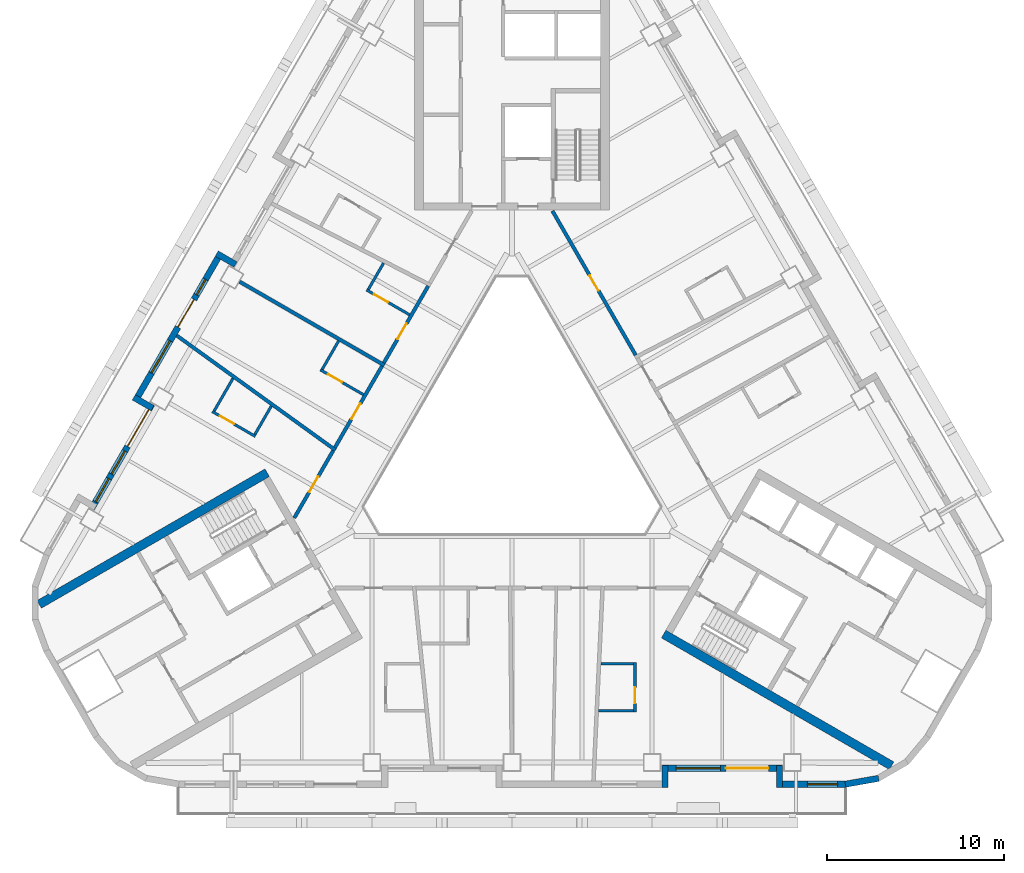
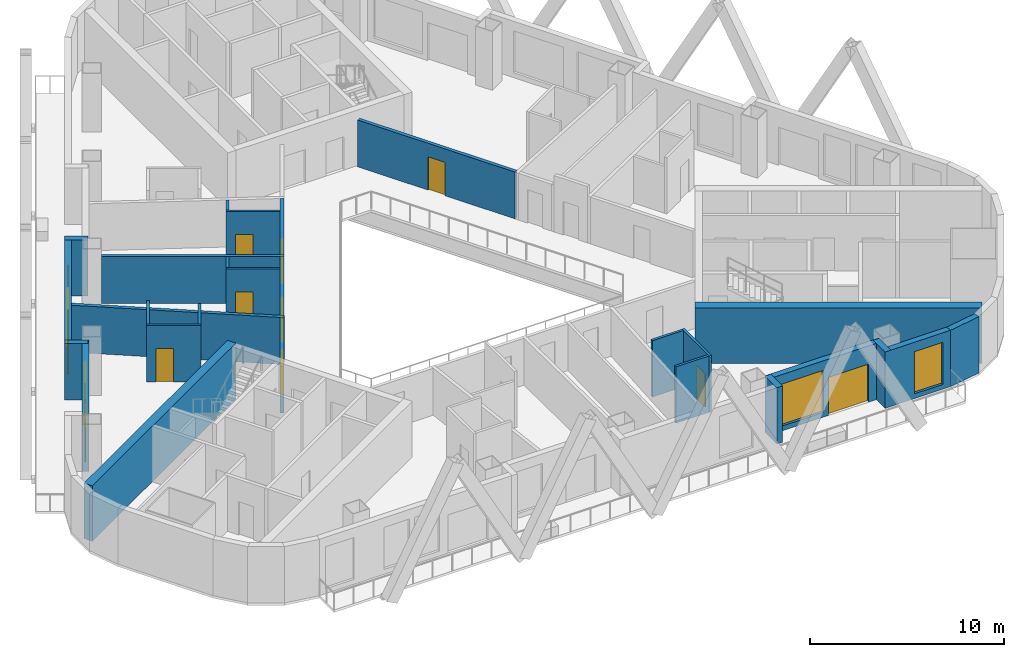
# One storey, part 4 of 14: 27 walls, 11 doors, 6 windows, 17 openings.
"""IFC4 building model written with IfcOpenShell, lengths in metres."""

import ifcopenshell
import ifcopenshell.guid

model = None  # the IFC model being written
_history = None  # IfcOwnerHistory: only IFC2X3 demands one
_inside = {}  # id of a spatial element -> (the spatial element, [elements in it])
_under = {}  # id of a project, library or spatial element -> (it, [spatial elements below it])
_declared = {}  # id of a project -> (the project, [libraries it declares])
_typed = {}  # id of a type object -> (the type object, [elements of that type])
_made_of = {}  # id of a material, layer set ... -> (it, [elements and type objects made of it])


def new_model(schema):
    """Start an empty IFC model of exactly this schema.

    Asked for "IFC4X3", IfcOpenShell would pick the latest addendum, in which some entities
    have other attributes; the version numbers below select the first issue.
    IFC2X3 requires an IfcOwnerHistory on every rooted entity: one is made here for all.
    """
    global model, _history
    if schema == "IFC4X3":
        model = ifcopenshell.file(schema_version=(4, 3, 0, 0))
    else:
        model = ifcopenshell.file(schema=schema)
    _inside.clear()
    _under.clear()
    _declared.clear()
    _typed.clear()
    _made_of.clear()
    _history = None
    if model.schema == "IFC2X3":
        org = make("IfcOrganization", Name="unknown")
        user = make(
            "IfcPersonAndOrganization",
            ThePerson=make("IfcPerson", FamilyName="unknown"),
            TheOrganization=org,
        )
        app = make(
            "IfcApplication",
            ApplicationDeveloper=org,
            Version="unknown",
            ApplicationFullName="unknown",
            ApplicationIdentifier="unknown",
        )
        _history = make(
            "IfcOwnerHistory",
            OwningUser=user,
            OwningApplication=app,
            ChangeAction="ADDED",
            CreationDate=0,
        )
    return model


def make(cls, **values):
    """One entity of the class cls with the attributes given. An attribute that is None is left unset."""
    return model.create_entity(
        cls, **{name: value for name, value in values.items() if value is not None}
    )


def rooted(cls, **values):
    """An entity with a GlobalId (a new one), such as an element, a storey or a relation."""
    return make(cls, GlobalId=ifcopenshell.guid.new(), OwnerHistory=_history, **values)


def si_unit(unit_type, name, prefix=None):
    """IfcSIUnit, for example si_unit("LENGTHUNIT", "METRE", prefix="MILLI")."""
    return make("IfcSIUnit", UnitType=unit_type, Prefix=prefix, Name=name)


def assignment(units):
    """IfcUnitAssignment: the units of a project."""
    return None if units is None else make("IfcUnitAssignment", Units=units)


def point(xyz):
    """IfcCartesianPoint."""
    return None if xyz is None else make("IfcCartesianPoint", Coordinates=xyz)


def direction(xyz):
    """IfcDirection."""
    return None if xyz is None else make("IfcDirection", DirectionRatios=xyz)


def frame(location, z_axis=None, x_axis=None):
    """IfcAxis2Placement3D, a coordinate frame: its origin and axes. An axis left out is left unset."""
    return make(
        "IfcAxis2Placement3D",
        Location=point(location),
        Axis=direction(z_axis),
        RefDirection=direction(x_axis),
    )


def frame_2d(location, x_axis=None):
    """IfcAxis2Placement2D, a coordinate frame in the plane: its origin and x axis."""
    return make(
        "IfcAxis2Placement2D", Location=point(location), RefDirection=direction(x_axis)
    )


def origin():
    """The frame at (0, 0, 0) with its axes left unset."""
    return frame((0.0, 0.0, 0.0))


def place(relative_to, where):
    """IfcLocalPlacement: puts the frame where relative to a parent placement (None: the world)."""
    return make(
        "IfcLocalPlacement", PlacementRelTo=relative_to, RelativePlacement=where
    )


def context(
    kind, dimensions, precision=None, world=None, true_north=None, identifier=None
):
    """IfcGeometricRepresentationContext, for example the 3D "Model" context."""
    return make(
        "IfcGeometricRepresentationContext",
        ContextIdentifier=identifier,
        ContextType=kind,
        CoordinateSpaceDimension=dimensions,
        Precision=precision,
        WorldCoordinateSystem=world,
        TrueNorth=true_north,
    )


def subcontext(parent, identifier, kind, view, scale=None):
    """IfcGeometricRepresentationSubContext, for example "Body" below "Model"."""
    return make(
        "IfcGeometricRepresentationSubContext",
        ContextIdentifier=identifier,
        ContextType=kind,
        ParentContext=parent,
        TargetScale=scale,
        TargetView=view,
    )


def project(units=None, contexts=None):
    """IfcProject with its units and contexts."""
    return rooted(
        "IfcProject",
        Name="project",
        RepresentationContexts=contexts,
        UnitsInContext=assignment(units),
    )


def spatial(cls, under=None, at=None, **own):
    """A site, building, storey or space (cls), placed at a placement, below another one or the project."""
    s = rooted(cls, ObjectPlacement=at, **own)
    if under is not None:
        _under.setdefault(under.id(), (under, []))[1].append(s)
    return s


def profile(cls, at=None, kind="AREA", **sizes):
    """A parametric profile (cls). Its sizes go by their IFC names, for example OverallWidth=200.0."""
    return make(cls, ProfileType=kind, Position=at, **sizes)


def rectangle(**sizes):
    """IfcRectangleProfileDef."""
    return profile("IfcRectangleProfileDef", **sizes)


def extrude(swept, where, along, depth):
    """IfcExtrudedAreaSolid: the profile swept, set in the frame where, extruded along a direction by depth."""
    return make(
        "IfcExtrudedAreaSolid",
        SweptArea=swept,
        Position=where,
        ExtrudedDirection=direction(along),
        Depth=depth,
    )


def shape(context_of_items, identifier, shape_type, items):
    """IfcShapeRepresentation: the items that make up one representation, for example the "Body"."""
    return make(
        "IfcShapeRepresentation",
        ContextOfItems=context_of_items,
        RepresentationIdentifier=identifier,
        RepresentationType=shape_type,
        Items=items,
    )


def material(Name=None, Category=None):
    """IfcMaterial."""
    return make("IfcMaterial", Name=Name, Category=Category)


def layer(
    of_material, thickness, ventilated=None, Name=None, Category=None, Priority=None
):
    """IfcMaterialLayer: one layer of a wall or slab, of a material (None: an air gap)."""
    return make(
        "IfcMaterialLayer",
        Material=of_material,
        LayerThickness=thickness,
        IsVentilated=ventilated,
        Name=Name,
        Category=Category,
        Priority=Priority,
    )


def layer_set(layers, Name=None):
    """IfcMaterialLayerSet."""
    return make("IfcMaterialLayerSet", MaterialLayers=layers, LayerSetName=Name)


def made_of(thing, what):
    """Note that an element or type object is made of a material, layer set ...; save() writes the relation."""
    if what is not None:
        _made_of.setdefault(what.id(), (what, []))[1].append(thing)
    return thing


def type_object(cls, material=None, **own):
    """A type object (cls), such as IfcWallType, which elements share."""
    return made_of(rooted(cls, **own), material)


def element(
    cls,
    number,
    at=None,
    inside=None,
    cuts=None,
    type_object=None,
    material=None,
    context=None,
    identifier="Body",
    shape_type=None,
    held_by="IfcProductDefinitionShape",
    body=None,
    shapes=None,
    **own,
):
    """One element of the class cls, such as IfcWall. Its Tag is "e" and its number.

    at: its placement. inside: the storey or other place that contains it. cuts: it is an
    opening in that element (IfcRelVoidsElement). A single representation is given by context,
    identifier, shape_type and body (its items); several are given by shapes. held_by: the class
    of the entity that holds the representations. save() writes the other relations.
    """
    e = rooted(cls, Tag="e%d" % number, ObjectPlacement=at, **own)
    if body is not None:
        shapes = [shape(context, identifier, shape_type, body)]
    if shapes is not None:
        e.Representation = make(held_by, Representations=shapes)
    if inside is not None:
        _inside.setdefault(inside.id(), (inside, []))[1].append(e)
    if cuts is not None:
        rooted(
            "IfcRelVoidsElement", RelatingBuildingElement=cuts, RelatedOpeningElement=e
        )
    if type_object is not None:
        _typed.setdefault(type_object.id(), (type_object, []))[1].append(e)
    return made_of(e, material)


def fill(opening, filler):
    """IfcRelFillsElement: the door or window that sits in an opening."""
    return rooted(
        "IfcRelFillsElement",
        RelatingOpeningElement=opening,
        RelatedBuildingElement=filler,
    )


def aggregate(whole, parts):
    """IfcRelAggregates: a whole, such as a stair, and the parts it consists of."""
    return rooted("IfcRelAggregates", RelatingObject=whole, RelatedObjects=parts)


def save(model, path):
    """Write the relations noted so far, then the file.

    IfcRelAggregates (storeys below a building ...), IfcRelContainedInSpatialStructure (elements
    in a storey), IfcRelDefinesByType, IfcRelAssociatesMaterial and IfcRelDeclares: one each for
    every whole, place, type object, material and project.
    """
    for whole, parts in _under.values():
        aggregate(whole, parts)
    for where, things in _inside.values():
        rooted(
            "IfcRelContainedInSpatialStructure",
            RelatedElements=things,
            RelatingStructure=where,
        )
    for kind, things in _typed.values():
        rooted("IfcRelDefinesByType", RelatedObjects=things, RelatingType=kind)
    for what, things in _made_of.values():
        rooted("IfcRelAssociatesMaterial", RelatedObjects=things, RelatingMaterial=what)
    for by, libraries in _declared.values():
        rooted("IfcRelDeclares", RelatingContext=by, RelatedDefinitions=libraries)
    model.write(path)


model = new_model("IFC4")

# Units and contexts
model_context = context("Model", 3, precision=1e-05, world=origin(), true_north=direction((0.0, 1.0)))
body_context = subcontext(model_context, "Body", "Model", "MODEL_VIEW")
ifc_project = project(units=[si_unit("LENGTHUNIT", "METRE"), si_unit("AREAUNIT", "SQUARE_METRE"), si_unit("VOLUMEUNIT", "CUBIC_METRE"), si_unit("PLANEANGLEUNIT", "RADIAN"), si_unit("MASSUNIT", "GRAM", prefix="KILO")], contexts=[model_context])

# Site, building, storey
site_placement = place(None, origin())
site = spatial("IfcSite", under=ifc_project, at=site_placement, CompositionType="ELEMENT")
building_placement = place(site_placement, origin())
building = spatial("IfcBuilding", under=site, at=building_placement, Name="Apuvela Tower Hotel", CompositionType="ELEMENT")
storey_placement = place(building_placement, frame((0.0, 0.0, 76.10009765625)))
storey = spatial("IfcBuildingStorey", under=building, at=storey_placement, Name="L16", CompositionType="ELEMENT", Elevation=76.10009765625)

# Walls
ifc_material_1 = material(Name="Concrete C50/60", Category="concrete")
ifc_layer_1 = layer(ifc_material_1, 0.5)
ifc_layer_set_1 = layer_set([ifc_layer_1], Name="COR-WALL-CORE-500")
wall_type_1 = type_object("IfcWallType", Name="COR-WALL-CORE-500", PredefinedType="SHEAR", material=ifc_layer_set_1)
for number, where, z_axis, x_axis, name in (
    (1, (-13.796630859375, -1.9033203125, 0.0), (0.0, 0.0, 1.0), (-0.866025009528, -0.500000682871, 0.0), "Core wall SW"),
    (2, (8.546630859375, -10.99658203125, 0.0), (0.0, 0.0, 1.0), (0.866025009528, -0.500000682871, 0.0), "Core wall SE"),
):
    element("IfcWall", number, at=place(storey_placement, frame(where, z_axis=z_axis, x_axis=x_axis)), inside=storey, type_object=wall_type_1, Name=name, PredefinedType="SHEAR", context=body_context, shape_type="SweptSolid", body=[
        extrude(rectangle(XDim=14.8369140625, YDim=0.5, at=frame_2d((7.41845703125, 0.0))), origin(), (0.0, 0.0, 1.0), 3.5),
    ])
ifc_material_2 = material(Name="Concrete C40/50, dark pigmented precast panel", Category="concrete")
ifc_layer_2 = layer(ifc_material_2, 0.35009765625)
ifc_layer_set_2 = layer_set([ifc_layer_2], Name="ENV-WALL-350")
wall_type_2 = type_object("IfcWallType", Name="ENV-WALL-350", PredefinedType="SOLIDWALL", material=ifc_layer_set_2)
wall_1_placement = place(storey_placement, frame((-15.580810546875, 9.8330078125, 0.0), z_axis=(0.0, 0.0, 1.0), x_axis=(-0.866055662726, 0.499947586314, 0.0)))
element("IfcWall", 3, at=wall_1_placement, inside=storey, type_object=wall_type_2, Name="External wall L16-04", PredefinedType="SOLIDWALL", context=body_context, shape_type="SweptSolid", body=[
    extrude(rectangle(XDim=1.220458984375, YDim=0.35009765625, at=frame_2d((0.6103515625, 0.0))), origin(), (0.0, 0.0, 1.0), 3.5498046875),
])

# Wall, openings, door, windows
wall_2_placement = place(storey_placement, frame((-16.3984375, 10.507080078125, 0.0), z_axis=(0.0, 0.0, 1.0), x_axis=(-0.499999142773, -0.866025898704, 0.0)))
wall_2 = element("IfcWall", 4, at=wall_2_placement, inside=storey, type_object=wall_type_2, Name="External wall L16-05", PredefinedType="SOLIDWALL", context=body_context, shape_type="SweptSolid", body=[
    extrude(rectangle(XDim=9.7001953125, YDim=0.35009765625, at=frame_2d((4.85009765625, 0.0))), origin(), (0.0, 0.0, 1.0), 3.5498046875),
])
opening_1_placement = place(wall_2_placement, frame((3.05126953125, 0.0, 0.0)))
opening_1 = element("IfcOpeningElement", 5, at=opening_1_placement, cuts=wall_2, Name="Opening BD18", PredefinedType="OPENING", context=body_context, shape_type="SweptSolid", body=[
    extrude(rectangle(XDim=1.800048828125, YDim=2.39990234375, at=frame_2d((0.89990234375, 1.199951171875))), frame((0.0, 0.18505859375, 0.0), z_axis=(0.0, -1.0, 0.0), x_axis=(1.0, 0.0, 0.0)), (0.0, 0.0, 1.0), 0.3701171875),
])
opening_2_placement = place(wall_2_placement, frame((1.750244140625, 0.0, 0.300048828125)))
opening_2 = element("IfcOpeningElement", 6, at=opening_2_placement, cuts=wall_2, Name="Opening WN10", PredefinedType="OPENING", context=body_context, shape_type="SweptSolid", body=[
    extrude(rectangle(XDim=1.0, YDim=2.64990234375, at=frame_2d((0.5, 1.324951171875))), frame((0.0, 0.18505859375, 0.0), z_axis=(0.0, -1.0, 0.0), x_axis=(1.0, 0.0, 0.0)), (0.0, 0.0, 1.0), 0.3701171875),
])
opening_3_placement = place(wall_2_placement, frame((5.7509765625, 0.0, 0.300048828125)))
opening_3 = element("IfcOpeningElement", 7, at=opening_3_placement, cuts=wall_2, Name="Opening WN21", PredefinedType="OPENING", context=body_context, shape_type="SweptSolid", body=[
    extrude(rectangle(XDim=2.10009765625, YDim=2.64990234375, at=frame_2d((1.050048828125, 1.324951171875))), frame((0.0, 0.18505859375, 0.0), z_axis=(0.0, -1.0, 0.0), x_axis=(1.0, 0.0, 0.0)), (0.0, 0.0, 1.0), 0.3701171875),
])
ifc_material_3 = material(Name="Aluminium 6063-T6, dark bronze anodised frame with dark tinted laminated glass", Category="aluminium")
door_type_1 = type_object("IfcDoorType", Name="ENV-DOOR-BALCONY-1800x2400", OperationType="SLIDING_TO_LEFT", PredefinedType="DOOR", material=ifc_material_3)
door_1_placement = place(opening_1_placement, frame((1.800048828125, 0.0, 0.0), z_axis=(0.0, 0.0, 1.0), x_axis=(-1.0, 0.0, 0.0)))
door_1 = element("IfcDoor", 8, at=door_1_placement, inside=storey, type_object=door_type_1, Name="Balcony door BD18", OperationType="SLIDING_TO_LEFT", OverallHeight=2.39990234375, OverallWidth=1.800048828125, PredefinedType="DOOR", context=body_context, shape_type="SweptSolid", body=[
    extrude(rectangle(XDim=1.800048828125, YDim=2.39990234375, at=frame_2d((0.89990234375, 1.199951171875))), frame((0.0, 0.02490234375, 0.0), z_axis=(0.0, -1.0, 0.0), x_axis=(1.0, 0.0, 0.0)), (0.0, 0.0, 1.0), 0.050048828125),
])
fill(opening_1, door_1)
ifc_material_4 = material(Name="Glass, dark tinted laminated insulated glazing unit", Category="glass")
window_type_1 = type_object("IfcWindowType", Name="ENV-WIN-1000x2650", PartitioningType="SINGLE_PANEL", PredefinedType="WINDOW", material=ifc_material_4)
window_1_placement = place(opening_2_placement, origin())
window_1 = element("IfcWindow", 9, at=window_1_placement, inside=storey, type_object=window_type_1, Name="Window WN10", OverallHeight=2.64990234375, OverallWidth=1.0, PartitioningType="SINGLE_PANEL", PredefinedType="WINDOW", context=body_context, shape_type="SweptSolid", body=[
    extrude(rectangle(XDim=1.0, YDim=2.64990234375, at=frame_2d((0.5, 1.324951171875))), frame((0.0, 0.030029296875, 0.0), z_axis=(0.0, -1.0, 0.0), x_axis=(1.0, 0.0, 0.0)), (0.0, 0.0, 1.0), 0.06005859375),
])
fill(opening_2, window_1)
window_type_2 = type_object("IfcWindowType", Name="ENV-WIN-2100x2650", PartitioningType="SINGLE_PANEL", PredefinedType="WINDOW", material=ifc_material_4)
window_2_placement = place(opening_3_placement, origin())
window_2 = element("IfcWindow", 10, at=window_2_placement, inside=storey, type_object=window_type_2, Name="Window WN21", OverallHeight=2.64990234375, OverallWidth=2.10009765625, PartitioningType="SINGLE_PANEL", PredefinedType="WINDOW", context=body_context, shape_type="SweptSolid", body=[
    extrude(rectangle(XDim=2.10009765625, YDim=2.64990234375, at=frame_2d((1.050048828125, 1.324951171875))), frame((0.0, 0.030029296875, 0.0), z_axis=(0.0, -1.0, 0.0), x_axis=(1.0, 0.0, 0.0)), (0.0, 0.0, 1.0), 0.06005859375),
])
fill(opening_3, window_2)

# Wall
wall_3_placement = place(storey_placement, frame((-21.3125, 2.345703125, 0.0), z_axis=(0.0, 0.0, 1.0), x_axis=(0.866005645448, -0.500034220881, 0.0)))
element("IfcWall", 11, at=wall_3_placement, inside=storey, type_object=wall_type_2, Name="External wall L16-06", PredefinedType="SOLIDWALL", context=body_context, shape_type="SweptSolid", body=[
    extrude(rectangle(XDim=1.22021484375, YDim=0.35009765625, at=frame_2d((0.610107421875, 0.0))), origin(), (0.0, 0.0, 1.0), 3.5498046875),
])

# Wall, openings, door, windows
wall_4_placement = place(storey_placement, frame((-20.30908203125, 1.93359375, 0.0), z_axis=(0.0, 0.0, 1.0), x_axis=(-0.499992114976, -0.866029956157, 0.0)))
wall_4 = element("IfcWall", 12, at=wall_4_placement, inside=storey, type_object=wall_type_2, Name="External wall L16-07", PredefinedType="SOLIDWALL", context=body_context, shape_type="SweptSolid", body=[
    extrude(rectangle(XDim=6.73974609375, YDim=0.35009765625, at=frame_2d((3.369873046875, 0.0))), origin(), (0.0, 0.0, 1.0), 3.5498046875),
])
opening_4_placement = place(wall_4_placement, frame((0.320068359375, 0.0, 0.0)))
opening_4 = element("IfcOpeningElement", 13, at=opening_4_placement, cuts=wall_4, Name="Opening BD24", PredefinedType="OPENING", context=body_context, shape_type="SweptSolid", body=[
    extrude(rectangle(XDim=2.39990234375, YDim=2.39990234375, at=frame_2d((1.199951171875, 1.199951171875))), frame((0.0, 0.18505859375, 0.0), z_axis=(0.0, -1.0, 0.0), x_axis=(1.0, 0.0, 0.0)), (0.0, 0.0, 1.0), 0.3701171875),
])
opening_5_placement = place(wall_4_placement, frame((3.02001953125, 0.0, 0.300048828125)))
opening_5 = element("IfcOpeningElement", 14, at=opening_5_placement, cuts=wall_4, Name="Opening WN15", PredefinedType="OPENING", context=body_context, shape_type="SweptSolid", body=[
    extrude(rectangle(XDim=1.5, YDim=2.64990234375, at=frame_2d((0.75, 1.324951171875))), frame((0.0, 0.18505859375, 0.0), z_axis=(0.0, -1.0, 0.0), x_axis=(1.0, 0.0, 0.0)), (0.0, 0.0, 1.0), 0.3701171875),
])
opening_6_placement = place(wall_4_placement, frame((4.820068359375, 0.0, 0.300048828125)))
opening_6 = element("IfcOpeningElement", 15, at=opening_6_placement, cuts=wall_4, Name="Opening WN15", PredefinedType="OPENING", context=body_context, shape_type="SweptSolid", body=[
    extrude(rectangle(XDim=1.5, YDim=2.64990234375, at=frame_2d((0.75, 1.324951171875))), frame((0.0, 0.18505859375, 0.0), z_axis=(0.0, -1.0, 0.0), x_axis=(1.0, 0.0, 0.0)), (0.0, 0.0, 1.0), 0.3701171875),
])
door_type_2 = type_object("IfcDoorType", Name="ENV-DOOR-BALCONY-2400x2400", OperationType="SLIDING_TO_LEFT", PredefinedType="DOOR", material=ifc_material_3)
door_2_placement = place(opening_4_placement, frame((2.39990234375, 0.0, 0.0), z_axis=(0.0, 0.0, 1.0), x_axis=(-1.0, 0.0, 0.0)))
door_2 = element("IfcDoor", 16, at=door_2_placement, inside=storey, type_object=door_type_2, Name="Balcony door BD24", OperationType="SLIDING_TO_LEFT", OverallHeight=2.39990234375, OverallWidth=2.39990234375, PredefinedType="DOOR", context=body_context, shape_type="SweptSolid", body=[
    extrude(rectangle(XDim=2.39990234375, YDim=2.39990234375, at=frame_2d((1.199951171875, 1.199951171875))), frame((0.0, 0.02490234375, 0.0), z_axis=(0.0, -1.0, 0.0), x_axis=(1.0, 0.0, 0.0)), (0.0, 0.0, 1.0), 0.050048828125),
])
fill(opening_4, door_2)
window_type_3 = type_object("IfcWindowType", Name="ENV-WIN-1500x2650", PartitioningType="SINGLE_PANEL", PredefinedType="WINDOW", material=ifc_material_4)
window_3_placement = place(opening_5_placement, origin())
window_3 = element("IfcWindow", 17, at=window_3_placement, inside=storey, type_object=window_type_3, Name="Window WN15", OverallHeight=2.64990234375, OverallWidth=1.5, PartitioningType="SINGLE_PANEL", PredefinedType="WINDOW", context=body_context, shape_type="SweptSolid", body=[
    extrude(rectangle(XDim=1.5, YDim=2.64990234375, at=frame_2d((0.75, 1.324951171875))), frame((0.0, 0.030029296875, 0.0), z_axis=(0.0, -1.0, 0.0), x_axis=(1.0, 0.0, 0.0)), (0.0, 0.0, 1.0), 0.06005859375),
])
fill(opening_5, window_3)
window_4_placement = place(opening_6_placement, origin())
window_4 = element("IfcWindow", 18, at=window_4_placement, inside=storey, type_object=window_type_3, Name="Window WN15", OverallHeight=2.64990234375, OverallWidth=1.5, PartitioningType="SINGLE_PANEL", PredefinedType="WINDOW", context=body_context, shape_type="SweptSolid", body=[
    extrude(rectangle(XDim=1.5, YDim=2.64990234375, at=frame_2d((0.75, 1.324951171875))), frame((0.0, 0.030029296875, 0.0), z_axis=(0.0, -1.0, 0.0), x_axis=(1.0, 0.0, 0.0)), (0.0, 0.0, 1.0), 0.06005859375),
])
fill(opening_6, window_4)

# Wall
wall_5_placement = place(storey_placement, frame((8.625, -19.6298828125, 0.0), z_axis=(0.0, 0.0, 1.0), x_axis=(0.0, 1.0, 0.0)))
element("IfcWall", 19, at=wall_5_placement, inside=storey, type_object=wall_type_2, Name="External wall L16-22", PredefinedType="SOLIDWALL", context=body_context, shape_type="SweptSolid", body=[
    extrude(rectangle(XDim=1.219970703125, YDim=0.35009765625, at=frame_2d((0.60986328125, 0.0))), origin(), (0.0, 0.0, 1.0), 3.5498046875),
])

# Wall, openings, door, window
wall_6_placement = place(storey_placement, frame((8.47998046875, -18.554931640625, 0.0), z_axis=(0.0, 0.0, 1.0), x_axis=(1.0, 0.0, 0.0)))
wall_6 = element("IfcWall", 20, at=wall_6_placement, inside=storey, type_object=wall_type_2, Name="External wall L16-23", PredefinedType="SOLIDWALL", context=body_context, shape_type="SweptSolid", body=[
    extrude(rectangle(XDim=6.739990234375, YDim=0.35009765625, at=frame_2d((3.3701171875, 0.0))), origin(), (0.0, 0.0, 1.0), 3.5498046875),
])
opening_7_placement = place(wall_6_placement, frame((3.570068359375, 0.0, 0.0)))
opening_7 = element("IfcOpeningElement", 21, at=opening_7_placement, cuts=wall_6, Name="Opening BD24", PredefinedType="OPENING", context=body_context, shape_type="SweptSolid", body=[
    extrude(rectangle(XDim=2.39990234375, YDim=2.39990234375, at=frame_2d((1.199951171875, 1.199951171875))), frame((0.0, 0.18505859375, 0.0), z_axis=(0.0, -1.0, 0.0), x_axis=(1.0, 0.0, 0.0)), (0.0, 0.0, 1.0), 0.3701171875),
])
opening_8_placement = place(wall_6_placement, frame((0.77001953125, 0.0, 0.300048828125)))
opening_8 = element("IfcOpeningElement", 22, at=opening_8_placement, cuts=wall_6, Name="Opening WN25", PredefinedType="OPENING", context=body_context, shape_type="SweptSolid", body=[
    extrude(rectangle(XDim=2.5, YDim=2.64990234375, at=frame_2d((1.25, 1.324951171875))), frame((0.0, 0.18505859375, 0.0), z_axis=(0.0, -1.0, 0.0), x_axis=(1.0, 0.0, 0.0)), (0.0, 0.0, 1.0), 0.3701171875),
])
door_3_placement = place(opening_7_placement, frame((2.39990234375, 0.0, 0.0), z_axis=(0.0, 0.0, 1.0), x_axis=(-1.0, 0.0, 0.0)))
door_3 = element("IfcDoor", 23, at=door_3_placement, inside=storey, type_object=door_type_2, Name="Balcony door BD24", OperationType="SLIDING_TO_LEFT", OverallHeight=2.39990234375, OverallWidth=2.39990234375, PredefinedType="DOOR", context=body_context, shape_type="SweptSolid", body=[
    extrude(rectangle(XDim=2.39990234375, YDim=2.39990234375, at=frame_2d((1.199951171875, 1.199951171875))), frame((0.0, 0.02490234375, 0.0), z_axis=(0.0, -1.0, 0.0), x_axis=(1.0, 0.0, 0.0)), (0.0, 0.0, 1.0), 0.050048828125),
])
fill(opening_7, door_3)
window_type_4 = type_object("IfcWindowType", Name="ENV-WIN-2500x2650", PartitioningType="SINGLE_PANEL", PredefinedType="WINDOW", material=ifc_material_4)
window_5_placement = place(opening_8_placement, origin())
window_5 = element("IfcWindow", 24, at=window_5_placement, inside=storey, type_object=window_type_4, Name="Window WN25", OverallHeight=2.64990234375, OverallWidth=2.5, PartitioningType="SINGLE_PANEL", PredefinedType="WINDOW", context=body_context, shape_type="SweptSolid", body=[
    extrude(rectangle(XDim=2.5, YDim=2.64990234375, at=frame_2d((1.25, 1.324951171875))), frame((0.0, 0.030029296875, 0.0), z_axis=(0.0, -1.0, 0.0), x_axis=(1.0, 0.0, 0.0)), (0.0, 0.0, 1.0), 0.06005859375),
])
fill(opening_8, window_5)

# Wall
wall_7_placement = place(storey_placement, frame((15.074951171875, -18.409912109375, 0.0), z_axis=(0.0, 0.0, 1.0), x_axis=(0.0, -1.0, 0.0)))
element("IfcWall", 25, at=wall_7_placement, inside=storey, type_object=wall_type_2, Name="External wall L16-24", PredefinedType="SOLIDWALL", context=body_context, shape_type="SweptSolid", body=[
    extrude(rectangle(XDim=1.219970703125, YDim=0.35009765625, at=frame_2d((0.60986328125, 0.0))), origin(), (0.0, 0.0, 1.0), 3.5498046875),
])

# Wall, opening, window
wall_8_placement = place(storey_placement, frame((14.89990234375, -19.455078125, 0.0), z_axis=(0.0, 0.0, 1.0), x_axis=(1.0, 0.0, 0.0)))
wall_8 = element("IfcWall", 26, at=wall_8_placement, inside=storey, type_object=wall_type_2, Name="External wall L16-25", PredefinedType="SOLIDWALL", context=body_context, shape_type="SweptSolid", body=[
    extrude(rectangle(XDim=3.916015625, YDim=0.35009765625, at=frame_2d((1.9580078125, 0.0))), origin(), (0.0, 0.0, 1.0), 3.5498046875),
])
opening_9_placement = place(wall_8_placement, frame((1.749755859375, 0.0, 0.300048828125)))
opening_9 = element("IfcOpeningElement", 27, at=opening_9_placement, cuts=wall_8, Name="Opening WN17", PredefinedType="OPENING", context=body_context, shape_type="SweptSolid", body=[
    extrude(rectangle(XDim=1.699951171875, YDim=2.64990234375, at=frame_2d((0.85009765625, 1.324951171875))), frame((0.0, 0.18505859375, 0.0), z_axis=(0.0, -1.0, 0.0), x_axis=(1.0, 0.0, 0.0)), (0.0, 0.0, 1.0), 0.3701171875),
])
window_type_5 = type_object("IfcWindowType", Name="ENV-WIN-1700x2650", PartitioningType="SINGLE_PANEL", PredefinedType="WINDOW", material=ifc_material_4)
window_6_placement = place(opening_9_placement, origin())
window_6 = element("IfcWindow", 28, at=window_6_placement, inside=storey, type_object=window_type_5, Name="Window WN17", OverallHeight=2.64990234375, OverallWidth=1.699951171875, PartitioningType="SINGLE_PANEL", PredefinedType="WINDOW", context=body_context, shape_type="SweptSolid", body=[
    extrude(rectangle(XDim=1.699951171875, YDim=2.64990234375, at=frame_2d((0.85009765625, 1.324951171875))), frame((0.0, 0.030029296875, 0.0), z_axis=(0.0, -1.0, 0.0), x_axis=(1.0, 0.0, 0.0)), (0.0, 0.0, 1.0), 0.06005859375),
])
fill(opening_9, window_6)

# Walls
wall_9_placement = place(storey_placement, frame((18.785400390625, -19.457763671875, 0.0), z_axis=(0.0, 0.0, 1.0), x_axis=(0.984798995425, 0.173697837091, 0.0)))
element("IfcWall", 29, at=wall_9_placement, inside=storey, type_object=wall_type_2, Name="External wall L16-26", PredefinedType="SOLIDWALL", context=body_context, shape_type="SweptSolid", body=[
    extrude(rectangle(XDim=1.91015625, YDim=0.35009765625, at=frame_2d((0.955078125, 0.0))), origin(), (0.0, 0.0, 1.0), 3.5498046875),
])
ifc_material_5 = material(Name="Gypsum board partition on twin steel stud", Category="steel")
ifc_layer_3 = layer(ifc_material_5, 0.199951171875)
ifc_layer_set_3 = layer_set([ifc_layer_3], Name="GST-PW1")
wall_type_3 = type_object("IfcWallType", Name="GST-PW1", PredefinedType="PARTITIONING", material=ifc_layer_set_3)
wall_10_placement = place(storey_placement, frame((-15.3544921875, 8.864990234375, 0.0), z_axis=(0.0, 0.0, 1.0), x_axis=(0.866018301787, -0.500012300819, 0.0)))
element("IfcWall", 30, at=wall_10_placement, inside=storey, type_object=wall_type_3, Name="L16 partition 07", PredefinedType="PARTITIONING", context=body_context, shape_type="SweptSolid", body=[
    extrude(rectangle(XDim=9.429931640625, YDim=0.199951171875, at=frame_2d((4.71484375, 0.0))), origin(), (0.0, 0.0, 1.0), 2.949951171875),
])
wall_11_placement = place(storey_placement, frame((-18.89697265625, 5.82958984375, 0.0), z_axis=(0.0, 0.0, 1.0), x_axis=(0.810787705843, -0.585340324985, 0.0)))
element("IfcWall", 31, at=wall_11_placement, inside=storey, type_object=wall_type_3, Name="L16 partition 08", PredefinedType="PARTITIONING", context=body_context, shape_type="SweptSolid", body=[
    extrude(rectangle(XDim=11.037109375, YDim=0.199951171875, at=frame_2d((5.5185546875, 0.0))), origin(), (0.0, 0.0, 1.0), 2.9599609375),
])

# Wall, opening, door
ifc_material_6 = material(Name="Gypsum board corridor wall on twin steel stud, acoustic", Category="steel")
ifc_layer_4 = layer(ifc_material_6, 0.199951171875)
ifc_layer_set_4 = layer_set([ifc_layer_4], Name="GST-PW2")
wall_type_4 = type_object("IfcWallType", Name="GST-PW2", PredefinedType="PARTITIONING", material=ifc_layer_set_4)
wall_12_placement = place(storey_placement, frame((2.280517578125, 12.85009765625, 0.0), z_axis=(0.0, 0.0, 1.0), x_axis=(0.499986710104, -0.866033076574, 0.0)))
wall_12 = element("IfcWall", 32, at=wall_12_placement, inside=storey, type_object=wall_type_4, Name="L16 partition 30", PredefinedType="PARTITIONING", context=body_context, shape_type="SweptSolid", body=[
    extrude(rectangle(XDim=9.383544921875, YDim=0.199951171875, at=frame_2d((4.69189453125, 0.0))), origin(), (0.0, 0.0, 1.0), 2.949951171875),
])
opening_10_placement = place(wall_12_placement, frame((4.191650390625, 0.0, 0.0)))
opening_10 = element("IfcOpeningElement", 33, at=opening_10_placement, cuts=wall_12, Name="Opening GD04-14", PredefinedType="OPENING", context=body_context, shape_type="SweptSolid", body=[
    extrude(rectangle(XDim=1.0, YDim=2.10009765625, at=frame_2d((0.5, 1.050048828125))), frame((0.0, 0.10986328125, 0.0), z_axis=(0.0, -1.0, 0.0), x_axis=(1.0, 0.0, 0.0)), (0.0, 0.0, 1.0), 0.219970703125),
])
ifc_material_7 = material(Name="Timber door leaf in steel frame", Category="steel")
door_type_3 = type_object("IfcDoorType", Name="GST-D1", OperationType="NOTDEFINED", PredefinedType="DOOR", material=ifc_material_7)
door_4_placement = place(opening_10_placement, origin())
door_4 = element("IfcDoor", 34, at=door_4_placement, inside=storey, type_object=door_type_3, Name="Door L16-14", OperationType="SINGLE_SWING_RIGHT", OverallHeight=2.10009765625, OverallWidth=1.0, PredefinedType="DOOR", context=body_context, shape_type="SweptSolid", body=[
    extrude(rectangle(XDim=1.0, YDim=2.10009765625, at=frame_2d((0.5, 1.050048828125))), frame((0.0, 0.02490234375, 0.0), z_axis=(0.0, -1.0, 0.0), x_axis=(1.0, 0.0, 0.0)), (0.0, 0.0, 1.0), 0.050048828125),
])
fill(opening_10, door_4)

wall_13_placement = place(storey_placement, frame((-7.224609375, 4.28662109375, 0.0), z_axis=(0.0, 0.0, 1.0), x_axis=(0.49997441339, 0.866040175716, 0.0)))
wall_13 = element("IfcWall", 35, at=wall_13_placement, inside=storey, type_object=wall_type_4, Name="L16 partition 38", PredefinedType="PARTITIONING", context=body_context, shape_type="SweptSolid", body=[
    extrude(rectangle(XDim=5.004638671875, YDim=0.199951171875, at=frame_2d((2.50244140625, 0.0))), origin(), (0.0, 0.0, 1.0), 2.949951171875),
])
opening_11_placement = place(wall_13_placement, frame((1.5498046875, 0.0, 0.0)))
opening_11 = element("IfcOpeningElement", 36, at=opening_11_placement, cuts=wall_13, Name="Opening GD04-18", PredefinedType="OPENING", context=body_context, shape_type="SweptSolid", body=[
    extrude(rectangle(XDim=1.0, YDim=2.10009765625, at=frame_2d((0.5, 1.050048828125))), frame((0.0, 0.10986328125, 0.0), z_axis=(0.0, -1.0, 0.0), x_axis=(1.0, 0.0, 0.0)), (0.0, 0.0, 1.0), 0.219970703125),
])
door_5_placement = place(opening_11_placement, origin())
door_5 = element("IfcDoor", 37, at=door_5_placement, inside=storey, type_object=door_type_3, Name="Door L16-18", OperationType="SINGLE_SWING_LEFT", OverallHeight=2.10009765625, OverallWidth=1.0, PredefinedType="DOOR", context=body_context, shape_type="SweptSolid", body=[
    extrude(rectangle(XDim=1.0, YDim=2.10009765625, at=frame_2d((0.5, 1.050048828125))), frame((0.0, 0.02490234375, 0.0), z_axis=(0.0, -1.0, 0.0), x_axis=(1.0, 0.0, 0.0)), (0.0, 0.0, 1.0), 0.050048828125),
])
fill(opening_11, door_5)

wall_14_placement = place(storey_placement, frame((-9.9794921875, -0.48486328125, 0.0), z_axis=(0.0, 0.0, 1.0), x_axis=(0.500006381002, 0.86602171968, 0.0)))
wall_14 = element("IfcWall", 38, at=wall_14_placement, inside=storey, type_object=wall_type_4, Name="L16 partition 41", PredefinedType="PARTITIONING", context=body_context, shape_type="SweptSolid", body=[
    extrude(rectangle(XDim=5.3095703125, YDim=0.199951171875, at=frame_2d((2.65478515625, 0.0))), origin(), (0.0, 0.0, 1.0), 2.949951171875),
])
opening_12_placement = place(wall_14_placement, frame((1.859619140625, 0.0, 0.0)))
opening_12 = element("IfcOpeningElement", 39, at=opening_12_placement, cuts=wall_14, Name="Opening GD04-20", PredefinedType="OPENING", context=body_context, shape_type="SweptSolid", body=[
    extrude(rectangle(XDim=1.0, YDim=2.10009765625, at=frame_2d((0.5, 1.050048828125))), frame((0.0, 0.10986328125, 0.0), z_axis=(0.0, -1.0, 0.0), x_axis=(1.0, 0.0, 0.0)), (0.0, 0.0, 1.0), 0.219970703125),
])
door_6_placement = place(opening_12_placement, origin())
door_6 = element("IfcDoor", 40, at=door_6_placement, inside=storey, type_object=door_type_3, Name="Door L16-20", OperationType="SINGLE_SWING_LEFT", OverallHeight=2.10009765625, OverallWidth=1.0, PredefinedType="DOOR", context=body_context, shape_type="SweptSolid", body=[
    extrude(rectangle(XDim=1.0, YDim=2.10009765625, at=frame_2d((0.5, 1.050048828125))), frame((0.0, 0.02490234375, 0.0), z_axis=(0.0, -1.0, 0.0), x_axis=(1.0, 0.0, 0.0)), (0.0, 0.0, 1.0), 0.050048828125),
])
fill(opening_12, door_6)

wall_15_placement = place(storey_placement, frame((-12.268798828125, -4.449951171875, 0.0), z_axis=(0.0, 0.0, 1.0), x_axis=(0.499996027077, 0.86602769754, 0.0)))
wall_15 = element("IfcWall", 41, at=wall_15_placement, inside=storey, type_object=wall_type_4, Name="L16 partition 44", PredefinedType="PARTITIONING", context=body_context, shape_type="SweptSolid", body=[
    extrude(rectangle(XDim=4.37744140625, YDim=0.199951171875, at=frame_2d((2.188720703125, 0.0))), origin(), (0.0, 0.0, 1.0), 2.949951171875),
])
opening_13_placement = place(wall_15_placement, frame((1.688720703125, 0.0, 0.0)))
opening_13 = element("IfcOpeningElement", 42, at=opening_13_placement, cuts=wall_15, Name="Opening GD04-22", PredefinedType="OPENING", context=body_context, shape_type="SweptSolid", body=[
    extrude(rectangle(XDim=1.0, YDim=2.10009765625, at=frame_2d((0.5, 1.050048828125))), frame((0.0, 0.10986328125, 0.0), z_axis=(0.0, -1.0, 0.0), x_axis=(1.0, 0.0, 0.0)), (0.0, 0.0, 1.0), 0.219970703125),
])
door_7_placement = place(opening_13_placement, origin())
door_7 = element("IfcDoor", 43, at=door_7_placement, inside=storey, type_object=door_type_3, Name="Door L16-22", OperationType="SINGLE_SWING_RIGHT", OverallHeight=2.10009765625, OverallWidth=1.0, PredefinedType="DOOR", context=body_context, shape_type="SweptSolid", body=[
    extrude(rectangle(XDim=1.0, YDim=2.10009765625, at=frame_2d((0.5, 1.050048828125))), frame((0.0, 0.02490234375, 0.0), z_axis=(0.0, -1.0, 0.0), x_axis=(1.0, 0.0, 0.0)), (0.0, 0.0, 1.0), 0.050048828125),
])
fill(opening_13, door_7)

ifc_material_8 = material(Name="Moisture-resistant gypsum board wet wall on steel stud", Category="steel")
ifc_layer_5 = layer(ifc_material_8, 0.14990234375)
ifc_layer_set_5 = layer_set([ifc_layer_5], Name="GST-PW3")
wall_type_5 = type_object("IfcWallType", Name="GST-PW3", PredefinedType="PARTITIONING", material=ifc_layer_set_5)
wall_16_placement = place(storey_placement, frame((6.93115234375, -15.39990234375, 0.0), z_axis=(0.0, 0.0, 1.0), x_axis=(0.0, 1.0, 0.0)))
wall_16 = element("IfcWall", 44, at=wall_16_placement, inside=storey, type_object=wall_type_5, Name="L16 partition 20", PredefinedType="PARTITIONING", context=body_context, shape_type="SweptSolid", body=[
    extrude(rectangle(XDim=2.7998046875, YDim=0.14990234375, at=frame_2d((1.39990234375, 0.0))), origin(), (0.0, 0.0, 1.0), 3.5498046875),
])
opening_14_placement = place(wall_16_placement, frame((0.5, 0.0, 0.0)))
opening_14 = element("IfcOpeningElement", 45, at=opening_14_placement, cuts=wall_16, Name="Opening GD04-07", PredefinedType="OPENING", context=body_context, shape_type="SweptSolid", body=[
    extrude(rectangle(XDim=0.89990234375, YDim=2.10009765625, at=frame_2d((0.449951171875, 1.050048828125))), frame((0.0, 0.0849609375, 0.0), z_axis=(0.0, -1.0, 0.0), x_axis=(1.0, 0.0, 0.0)), (0.0, 0.0, 1.0), 0.169921875),
])
door_type_4 = type_object("IfcDoorType", Name="GST-D2", OperationType="NOTDEFINED", PredefinedType="DOOR", material=ifc_material_7)
door_8_placement = place(opening_14_placement, origin())
door_8 = element("IfcDoor", 46, at=door_8_placement, inside=storey, type_object=door_type_4, Name="Door L16-07", OperationType="SINGLE_SWING_LEFT", OverallHeight=2.10009765625, OverallWidth=0.89990234375, PredefinedType="DOOR", context=body_context, shape_type="SweptSolid", body=[
    extrude(rectangle(XDim=0.89990234375, YDim=2.10009765625, at=frame_2d((0.449951171875, 1.050048828125))), frame((0.0, 0.02490234375, 0.0), z_axis=(0.0, -1.0, 0.0), x_axis=(1.0, 0.0, 0.0)), (0.0, 0.0, 1.0), 0.050048828125),
])
fill(opening_14, door_8)

# Walls
wall_17_placement = place(storey_placement, frame((4.877197265625, -15.324951171875, 0.0), z_axis=(0.0, 0.0, 1.0), x_axis=(1.0, 0.0, 0.0)))
element("IfcWall", 47, at=wall_17_placement, inside=storey, type_object=wall_type_5, Name="L16 partition 21", PredefinedType="PARTITIONING", context=body_context, shape_type="SweptSolid", body=[
    extrude(rectangle(XDim=1.97900390625, YDim=0.14990234375, at=frame_2d((0.989501953125, 0.0))), origin(), (0.0, 0.0, 1.0), 3.5498046875),
])
wall_18_placement = place(storey_placement, frame((5.002685546875, -12.675048828125, 0.0), z_axis=(0.0, 0.0, 1.0), x_axis=(1.0, 0.0, 0.0)))
element("IfcWall", 48, at=wall_18_placement, inside=storey, type_object=wall_type_5, Name="L16 partition 22", PredefinedType="PARTITIONING", context=body_context, shape_type="SweptSolid", body=[
    extrude(rectangle(XDim=1.853515625, YDim=0.14990234375, at=frame_2d((0.9267578125, 0.0))), origin(), (0.0, 0.0, 1.0), 3.5498046875),
])

# Wall, opening, door
wall_19_placement = place(storey_placement, frame((-8.198486328125, 8.3994140625, 0.0), z_axis=(0.0, 0.0, 1.0), x_axis=(0.866034573852, -0.49998411664, 0.0)))
wall_19 = element("IfcWall", 49, at=wall_19_placement, inside=storey, type_object=wall_type_5, Name="L16 partition 39", PredefinedType="PARTITIONING", context=body_context, shape_type="SweptSolid", body=[
    extrude(rectangle(XDim=2.7998046875, YDim=0.14990234375, at=frame_2d((1.39990234375, 0.0))), origin(), (0.0, 0.0, 1.0), 3.5498046875),
])
opening_15_placement = place(wall_19_placement, frame((0.5, 0.0, 0.0)))
opening_15 = element("IfcOpeningElement", 50, at=opening_15_placement, cuts=wall_19, Name="Opening GD04-17", PredefinedType="OPENING", context=body_context, shape_type="SweptSolid", body=[
    extrude(rectangle(XDim=0.89990234375, YDim=2.10009765625, at=frame_2d((0.449951171875, 1.050048828125))), frame((0.0, 0.0849609375, 0.0), z_axis=(0.0, -1.0, 0.0), x_axis=(1.0, 0.0, 0.0)), (0.0, 0.0, 1.0), 0.169921875),
])
door_9_placement = place(opening_15_placement, origin())
door_9 = element("IfcDoor", 51, at=door_9_placement, inside=storey, type_object=door_type_4, Name="Door L16-17", OperationType="SINGLE_SWING_LEFT", OverallHeight=2.10009765625, OverallWidth=0.89990234375, PredefinedType="DOOR", context=body_context, shape_type="SweptSolid", body=[
    extrude(rectangle(XDim=0.89990234375, YDim=2.10009765625, at=frame_2d((0.449951171875, 1.050048828125))), frame((0.0, 0.02490234375, 0.0), z_axis=(0.0, -1.0, 0.0), x_axis=(1.0, 0.0, 0.0)), (0.0, 0.0, 1.0), 0.050048828125),
])
fill(opening_15, door_9)

# Wall
wall_20_placement = place(storey_placement, frame((-7.23681640625, 9.915283203125, 0.0), z_axis=(0.0, 0.0, 1.0), x_axis=(-0.50005036918, -0.865996321171, 0.0)))
element("IfcWall", 52, at=wall_20_placement, inside=storey, type_object=wall_type_5, Name="L16 partition 40", PredefinedType="PARTITIONING", context=body_context, shape_type="SweptSolid", body=[
    extrude(rectangle(XDim=1.718505859375, YDim=0.14990234375, at=frame_2d((0.859375, 0.0))), origin(), (0.0, 0.0, 1.0), 2.949951171875),
])

# Wall, opening, door
wall_21_placement = place(storey_placement, frame((-10.798583984375, 3.896240234375, 0.0), z_axis=(0.0, 0.0, 1.0), x_axis=(0.866034573852, -0.49998411664, 0.0)))
wall_21 = element("IfcWall", 53, at=wall_21_placement, inside=storey, type_object=wall_type_5, Name="L16 partition 42", PredefinedType="PARTITIONING", context=body_context, shape_type="SweptSolid", body=[
    extrude(rectangle(XDim=2.7998046875, YDim=0.14990234375, at=frame_2d((1.39990234375, 0.0))), origin(), (0.0, 0.0, 1.0), 3.5498046875),
])
opening_16_placement = place(wall_21_placement, frame((0.5, 0.0, 0.0)))
opening_16 = element("IfcOpeningElement", 54, at=opening_16_placement, cuts=wall_21, Name="Opening GD04-19", PredefinedType="OPENING", context=body_context, shape_type="SweptSolid", body=[
    extrude(rectangle(XDim=0.89990234375, YDim=2.10009765625, at=frame_2d((0.449951171875, 1.050048828125))), frame((0.0, 0.0849609375, 0.0), z_axis=(0.0, -1.0, 0.0), x_axis=(1.0, 0.0, 0.0)), (0.0, 0.0, 1.0), 0.169921875),
])
door_10_placement = place(opening_16_placement, origin())
door_10 = element("IfcDoor", 55, at=door_10_placement, inside=storey, type_object=door_type_4, Name="Door L16-19", OperationType="SINGLE_SWING_LEFT", OverallHeight=2.10009765625, OverallWidth=0.89990234375, PredefinedType="DOOR", context=body_context, shape_type="SweptSolid", body=[
    extrude(rectangle(XDim=0.89990234375, YDim=2.10009765625, at=frame_2d((0.449951171875, 1.050048828125))), frame((0.0, 0.02490234375, 0.0), z_axis=(0.0, -1.0, 0.0), x_axis=(1.0, 0.0, 0.0)), (0.0, 0.0, 1.0), 0.050048828125),
])
fill(opening_16, door_10)

# Wall
wall_22_placement = place(storey_placement, frame((-9.77099609375, 5.52587890625, 0.0), z_axis=(0.0, 0.0, 1.0), x_axis=(-0.500042316284, -0.866000971088, 0.0)))
element("IfcWall", 56, at=wall_22_placement, inside=storey, type_object=wall_type_5, Name="L16 partition 43", PredefinedType="PARTITIONING", context=body_context, shape_type="SweptSolid", body=[
    extrude(rectangle(XDim=1.849853515625, YDim=0.14990234375, at=frame_2d((0.9248046875, 0.0))), origin(), (0.0, 0.0, 1.0), 2.949951171875),
])

# Wall, opening, door
wall_23_placement = place(storey_placement, frame((-16.890380859375, 1.544921875, 0.0), z_axis=(0.0, 0.0, 1.0), x_axis=(0.866034573852, -0.49998411664, 0.0)))
wall_23 = element("IfcWall", 57, at=wall_23_placement, inside=storey, type_object=wall_type_5, Name="L16 partition 45", PredefinedType="PARTITIONING", context=body_context, shape_type="SweptSolid", body=[
    extrude(rectangle(XDim=2.7998046875, YDim=0.14990234375, at=frame_2d((1.39990234375, 0.0))), origin(), (0.0, 0.0, 1.0), 3.5498046875),
])
opening_17_placement = place(wall_23_placement, frame((0.5, 0.0, 0.0)))
opening_17 = element("IfcOpeningElement", 58, at=opening_17_placement, cuts=wall_23, Name="Opening GD04-21", PredefinedType="OPENING", context=body_context, shape_type="SweptSolid", body=[
    extrude(rectangle(XDim=0.89990234375, YDim=2.10009765625, at=frame_2d((0.449951171875, 1.050048828125))), frame((0.0, 0.0849609375, 0.0), z_axis=(0.0, -1.0, 0.0), x_axis=(1.0, 0.0, 0.0)), (0.0, 0.0, 1.0), 0.169921875),
])
door_11_placement = place(opening_17_placement, origin())
door_11 = element("IfcDoor", 59, at=door_11_placement, inside=storey, type_object=door_type_4, Name="Door L16-21", OperationType="SINGLE_SWING_LEFT", OverallHeight=2.10009765625, OverallWidth=0.89990234375, PredefinedType="DOOR", context=body_context, shape_type="SweptSolid", body=[
    extrude(rectangle(XDim=0.89990234375, YDim=2.10009765625, at=frame_2d((0.449951171875, 1.050048828125))), frame((0.0, 0.02490234375, 0.0), z_axis=(0.0, -1.0, 0.0), x_axis=(1.0, 0.0, 0.0)), (0.0, 0.0, 1.0), 0.050048828125),
])
fill(opening_17, door_11)

# Walls
wall_24_placement = place(storey_placement, frame((-15.723876953125, 3.415283203125, 0.0), z_axis=(0.0, 0.0, 1.0), x_axis=(-0.50001378257, -0.866017446268, 0.0)))
element("IfcWall", 60, at=wall_24_placement, inside=storey, type_object=wall_type_5, Name="L16 partition 46", PredefinedType="PARTITIONING", context=body_context, shape_type="SweptSolid", body=[
    extrude(rectangle(XDim=2.1279296875, YDim=0.14990234375, at=frame_2d((1.06396484375, 0.0))), origin(), (0.0, 0.0, 1.0), 3.5498046875),
])
wall_25_placement = place(storey_placement, frame((-13.564208984375, 1.856201171875, 0.0), z_axis=(0.0, 0.0, 1.0), x_axis=(-0.499984136491, -0.866034562392, 0.0)))
element("IfcWall", 61, at=wall_25_placement, inside=storey, type_object=wall_type_5, Name="L16 partition 47", PredefinedType="PARTITIONING", context=body_context, shape_type="SweptSolid", body=[
    extrude(rectangle(XDim=1.857421875, YDim=0.14990234375, at=frame_2d((0.9287109375, 0.0))), origin(), (0.0, 0.0, 1.0), 3.5498046875),
])

save(model, "model.ifc")
